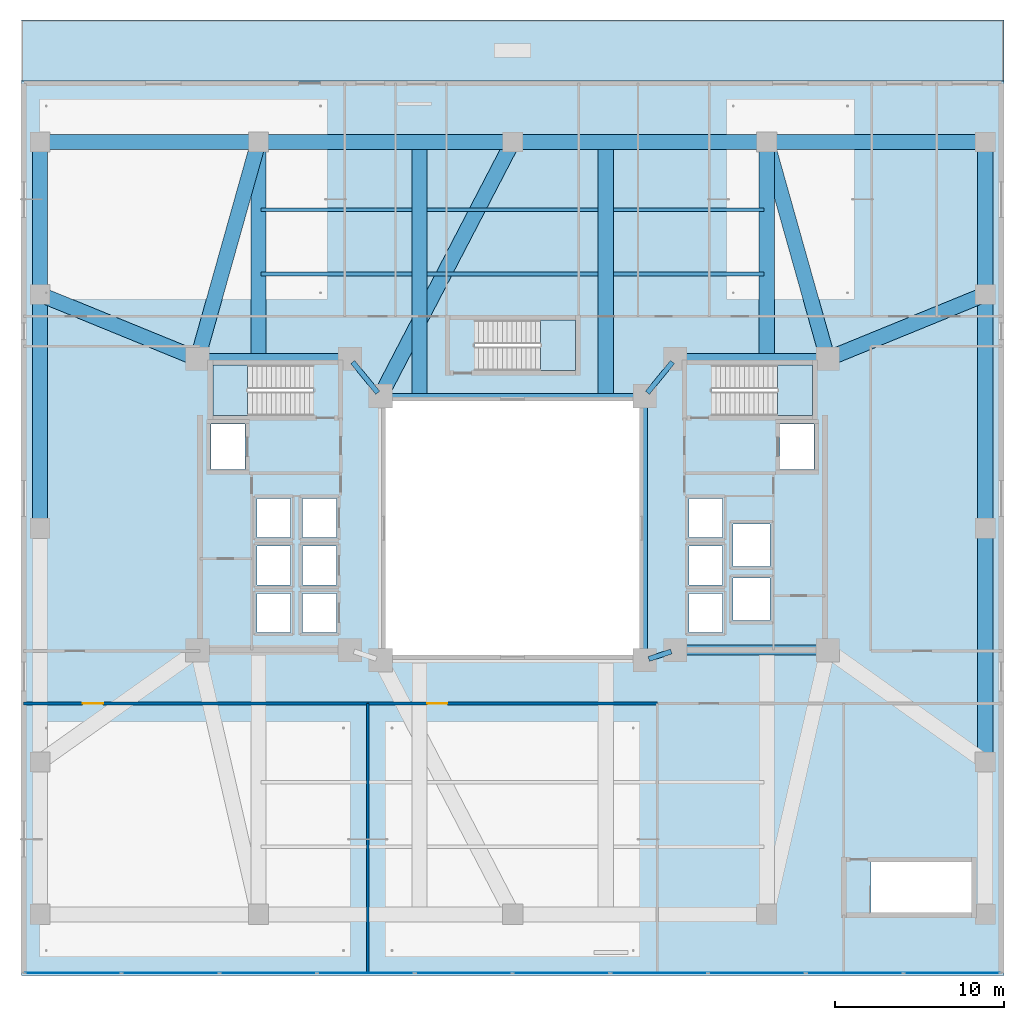
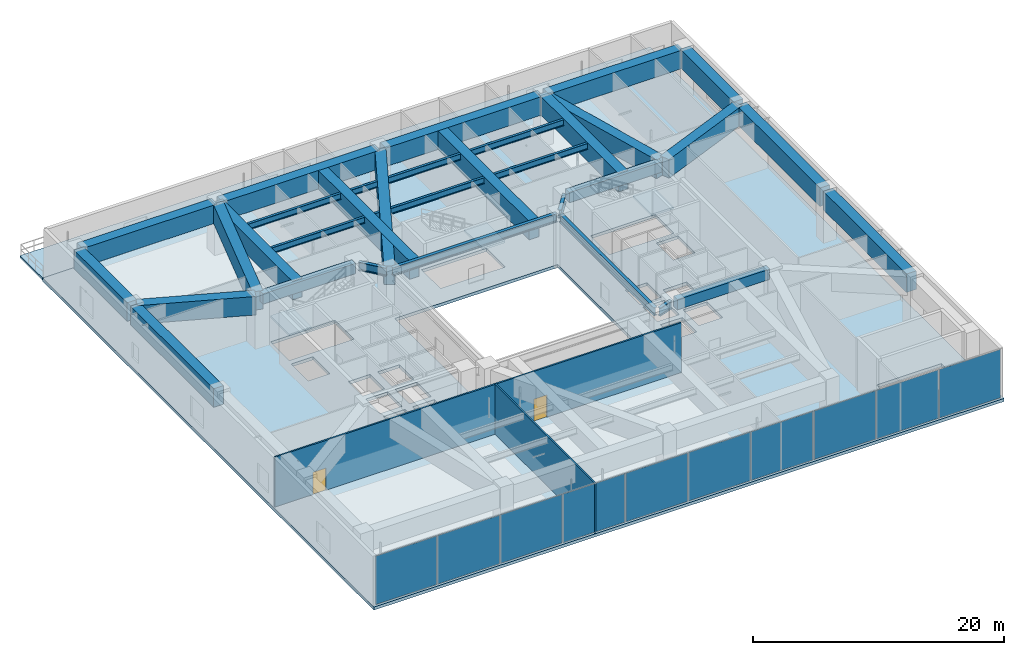
# One storey, part 9 of 21: 32 beams, 10 plates, 5 slabs, 3 walls, 2 doors, 2 openings, 4 elements without a shape of their own.
"""IFC4 building model written with IfcOpenShell, lengths in metres."""

from ifc_helpers import new_model, si_unit, direction, frame, frame_2d, origin, origin_2d, place, context, subcontext, project, spatial, polyline, rectangle, i_section, outline, extrude, material, layer, layer_set, material_profile, profile_set, type_object, element, fill, aggregate, save


model = new_model("IFC4")

# Units and contexts
model_context = context("Model", 3, precision=1e-05, world=origin(), true_north=direction((0.0, 1.0)))
body_context = subcontext(model_context, "Body", "Model", "MODEL_VIEW")
ifc_project = project(units=[si_unit("LENGTHUNIT", "METRE"), si_unit("AREAUNIT", "SQUARE_METRE"), si_unit("VOLUMEUNIT", "CUBIC_METRE"), si_unit("PLANEANGLEUNIT", "RADIAN"), si_unit("MASSUNIT", "GRAM", prefix="KILO")], contexts=[model_context])

# Site, building, storey
site_placement = place(None, origin())
site = spatial("IfcSite", under=ifc_project, at=site_placement, CompositionType="ELEMENT")
building_placement = place(site_placement, origin())
building = spatial("IfcBuilding", under=site, at=building_placement, Name="Tarnavaz Court Tower", CompositionType="ELEMENT")
storey_placement = place(building_placement, frame((0.0, 0.0, 18.89990234375)))
storey = spatial("IfcBuildingStorey", under=building, at=storey_placement, Name="L04", CompositionType="ELEMENT", Elevation=18.89990234375)

# Beams
ifc_material_1 = material(Name="Concrete C60/75", Category="concrete")
ifc_material_profile_1 = material_profile(ifc_material_1, rectangle(XDim=0.60009765625, YDim=1.0, at=origin_2d()), Name="RC 600X1000")
ifc_profile_set_1 = profile_set([ifc_material_profile_1], Name="Concrete C60/75")
beam_type_1 = type_object("IfcBeamType", Name="BM-CB1000", PredefinedType="LINTEL", material=ifc_profile_set_1)
for number, where, z_axis, x_axis, name in (
    (1, (-18.35009765625, 10.0, 4.35009765625), (1.0, 0.0, 0.0), (0.0, 1.0, 0.0), "L04 Beam CW-NO-CW-NI"),
    (2, (18.35009765625, -7.199951171875, 4.35009765625), (-1.0, 0.0, 0.0), (0.0, -1.0, 0.0), "L04 Beam CE-SO-CE-SI"),
    (3, (18.35009765625, 10.0, 4.35009765625), (-1.0, 0.0, 0.0), (0.0, -1.0, 0.0), "L04 Beam CE-NO-CE-NI"),
):
    element("IfcBeam", number, at=place(storey_placement, frame(where, z_axis=z_axis, x_axis=x_axis)), inside=storey, type_object=beam_type_1, Name=name, PredefinedType="LINTEL", context=body_context, shape_type="SweptSolid", body=[
        extrude(rectangle(XDim=0.60009765625, YDim=1.0, at=origin_2d()), origin(), (0.0, 0.0, 1.0), 8.5),
    ])
ifc_material_2 = material(Name="Steel S355", Category="steel")
ifc_material_profile_2 = material_profile(ifc_material_2, i_section(OverallWidth=0.300048828125, OverallDepth=0.800048828125, WebThickness=0.017578125, FlangeThickness=0.032958984375, FilletRadius=0.030029296875, at=origin_2d()), Name="HEB 800")
ifc_profile_set_2 = profile_set([ifc_material_profile_2], Name="Steel S355")
beam_type_2 = type_object("IfcBeamType", Name="BM-G-HEB800", PredefinedType="USERDEFINED", material=ifc_profile_set_2)
for number, where, z_axis, x_axis, name in (
    (4, (-7.550048828125, 7.800048828125, 4.4501953125), (1.0, 0.0, 0.0), (0.0, 1.0, 0.0), "L04 Beam IW-NW-IW-NE"),
    (5, (7.800048828125, -7.550048828125, 4.4501953125), (0.0, 1.0, 0.0), (-1.0, 0.0, 0.0), "L04 Beam IW-SE-IW-NE"),
):
    element("IfcBeam", number, at=place(storey_placement, frame(where, z_axis=z_axis, x_axis=x_axis)), inside=storey, type_object=beam_type_2, Name=name, ObjectType="GIRDER", PredefinedType="USERDEFINED", context=body_context, shape_type="SweptSolid", body=[
        extrude(i_section(OverallWidth=0.300048828125, OverallDepth=0.800048828125, WebThickness=0.017578125, FlangeThickness=0.032958984375, FilletRadius=0.030029296875, at=origin_2d()), origin(), (0.0, 0.0, 1.0), 15.10009765625),
    ])
beam_1_placement = place(storey_placement, frame((9.36279296875, -7.279052734375, 4.4501953125), z_axis=(-0.948683298051, -0.316227766017, 0.0), x_axis=(0.316227766017, -0.948683298051, 0.0)))
element("IfcBeam", 6, at=beam_1_placement, inside=storey, type_object=beam_type_2, Name="L04 Beam CE-SI-IW-SE", ObjectType="GIRDER", PredefinedType="USERDEFINED", context=body_context, shape_type="SweptSolid", body=[
    extrude(i_section(OverallWidth=0.300048828125, OverallDepth=0.800048828125, WebThickness=0.017578125, FlangeThickness=0.032958984375, FilletRadius=0.030029296875, at=origin_2d()), origin(), (0.0, 0.0, 1.0), 1.3974609375),
])
for number, where, z_axis, x_axis, name in (
    (7, (-9.441650390625, 9.806396484375, 4.4501953125), (0.633249141033, -0.773948012066, 0.0), (0.773948012066, 0.633249141033, 0.0), "L04 Beam CW-NI-IW-NW"),
    (8, (9.441650390625, 9.806396484375, 4.4501953125), (-0.633249141033, -0.773948012066, 0.0), (0.773948012066, -0.633249141033, 0.0), "L04 Beam CE-NI-IW-NE"),
):
    element("IfcBeam", number, at=place(storey_placement, frame(where, z_axis=z_axis, x_axis=x_axis)), inside=storey, type_object=beam_type_2, Name=name, ObjectType="GIRDER", PredefinedType="USERDEFINED", context=body_context, shape_type="SweptSolid", body=[
        extrude(i_section(OverallWidth=0.300048828125, OverallDepth=0.800048828125, WebThickness=0.017578125, FlangeThickness=0.032958984375, FilletRadius=0.030029296875, at=origin_2d()), origin(), (0.0, 0.0, 1.0), 2.342529296875),
    ])
ifc_material_profile_3 = material_profile(ifc_material_2, i_section(OverallWidth=0.219970703125, OverallDepth=0.60009765625, WebThickness=0.011962890625, FlangeThickness=0.01904296875, FilletRadius=0.02392578125, at=origin_2d()), Name="IPE 600")
ifc_profile_set_3 = profile_set([ifc_material_profile_3], Name="Steel S355")
beam_type_3 = type_object("IfcBeamType", Name="BM-J-IPE600", PredefinedType="JOIST", material=ifc_profile_set_3)
beam_2_placement = place(storey_placement, frame((-14.85009765625, 15.0, 4.550048828125), z_axis=(1.0, 0.0, 0.0), x_axis=(0.0, 1.0, 0.0)))
element("IfcBeam", 9, at=beam_2_placement, inside=storey, type_object=beam_type_3, Name="L04 Beam PJN-1-1", PredefinedType="JOIST", context=body_context, shape_type="SweptSolid", body=[
    extrude(i_section(OverallWidth=0.219970703125, OverallDepth=0.60009765625, WebThickness=0.011962890625, FlangeThickness=0.01904296875, FilletRadius=0.02392578125, at=origin_2d()), origin(), (0.0, 0.0, 1.0), 8.900146484375),
])
beam_3_placement = place(storey_placement, frame((-5.050048828125, 15.0, 4.550048828125), z_axis=(1.0, 0.0, 0.0), x_axis=(0.0, 1.0, 0.0)))
element("IfcBeam", 10, at=beam_3_placement, inside=storey, type_object=beam_type_3, Name="L04 Beam PJN-1-2", PredefinedType="JOIST", context=body_context, shape_type="SweptSolid", body=[
    extrude(i_section(OverallWidth=0.219970703125, OverallDepth=0.60009765625, WebThickness=0.011962890625, FlangeThickness=0.01904296875, FilletRadius=0.02392578125, at=origin_2d()), origin(), (0.0, 0.0, 1.0), 10.10009765625),
])
for number, where, z_axis, x_axis, name in (
    (11, (5.949951171875, 15.0, 4.550048828125), (1.0, 0.0, 0.0), (0.0, 1.0, 0.0), "L04 Beam PJN-1-3"),
    (12, (-14.85009765625, 18.800048828125, 4.550048828125), (1.0, 0.0, 0.0), (0.0, 1.0, 0.0), "L04 Beam PJN-2-1"),
):
    element("IfcBeam", number, at=place(storey_placement, frame(where, z_axis=z_axis, x_axis=x_axis)), inside=storey, type_object=beam_type_3, Name=name, PredefinedType="JOIST", context=body_context, shape_type="SweptSolid", body=[
        extrude(i_section(OverallWidth=0.219970703125, OverallDepth=0.60009765625, WebThickness=0.011962890625, FlangeThickness=0.01904296875, FilletRadius=0.02392578125, at=origin_2d()), origin(), (0.0, 0.0, 1.0), 8.900146484375),
    ])
beam_4_placement = place(storey_placement, frame((-5.050048828125, 18.800048828125, 4.550048828125), z_axis=(1.0, 0.0, 0.0), x_axis=(0.0, 1.0, 0.0)))
element("IfcBeam", 13, at=beam_4_placement, inside=storey, type_object=beam_type_3, Name="L04 Beam PJN-2-2", PredefinedType="JOIST", context=body_context, shape_type="SweptSolid", body=[
    extrude(i_section(OverallWidth=0.219970703125, OverallDepth=0.60009765625, WebThickness=0.011962890625, FlangeThickness=0.01904296875, FilletRadius=0.02392578125, at=origin_2d()), origin(), (0.0, 0.0, 1.0), 10.10009765625),
])
beam_5_placement = place(storey_placement, frame((5.949951171875, 18.800048828125, 4.550048828125), z_axis=(1.0, 0.0, 0.0), x_axis=(0.0, 1.0, 0.0)))
element("IfcBeam", 14, at=beam_5_placement, inside=storey, type_object=beam_type_3, Name="L04 Beam PJN-2-3", PredefinedType="JOIST", context=body_context, shape_type="SweptSolid", body=[
    extrude(i_section(OverallWidth=0.219970703125, OverallDepth=0.60009765625, WebThickness=0.011962890625, FlangeThickness=0.01904296875, FilletRadius=0.02392578125, at=origin_2d()), origin(), (0.0, 0.0, 1.0), 8.900146484375),
])
ifc_material_3 = material(Name="Concrete C50/60", Category="concrete")
ifc_material_profile_4 = material_profile(ifc_material_3, rectangle(XDim=0.89990234375, YDim=1.800048828125, at=origin_2d()), Name="RC 900X1800")
ifc_profile_set_4 = profile_set([ifc_material_profile_4], Name="Concrete C50/60")
beam_type_4 = type_object("IfcBeamType", Name="BM-TG1800", PredefinedType="USERDEFINED", material=ifc_profile_set_4)
beam_6_placement = place(storey_placement, frame((-27.64990234375, 22.800048828125, 3.9501953125), z_axis=(1.0, 0.0, 0.0), x_axis=(0.0, 1.0, 0.0)))
element("IfcBeam", 15, at=beam_6_placement, inside=storey, type_object=beam_type_4, Name="L04 Beam PM-PM-NW-PM-N1", ObjectType="GIRDER", PredefinedType="USERDEFINED", context=body_context, shape_type="SweptSolid", body=[
    extrude(rectangle(XDim=0.89990234375, YDim=1.800048828125, at=origin_2d()), origin(), (0.0, 0.0, 1.0), 12.39990234375),
])
for number, where, z_axis, x_axis, name in (
    (16, (-14.75, 22.800048828125, 3.9501953125), (1.0, 0.0, 0.0), (0.0, 1.0, 0.0), "L04 Beam PM-PM-N1-PM-N2"),
    (17, (0.25, 22.800048828125, 3.9501953125), (1.0, 0.0, 0.0), (0.0, 1.0, 0.0), "L04 Beam PM-PM-N2-PM-N3"),
):
    element("IfcBeam", number, at=place(storey_placement, frame(where, z_axis=z_axis, x_axis=x_axis)), inside=storey, type_object=beam_type_4, Name=name, ObjectType="GIRDER", PredefinedType="USERDEFINED", context=body_context, shape_type="SweptSolid", body=[
        extrude(rectangle(XDim=0.89990234375, YDim=1.800048828125, at=origin_2d()), origin(), (0.0, 0.0, 1.0), 14.5),
    ])
beam_7_placement = place(storey_placement, frame((15.25, 22.800048828125, 3.9501953125), z_axis=(1.0, 0.0, 0.0), x_axis=(0.0, 1.0, 0.0)))
element("IfcBeam", 18, at=beam_7_placement, inside=storey, type_object=beam_type_4, Name="L04 Beam PM-PM-N3-PM-NE", ObjectType="GIRDER", PredefinedType="USERDEFINED", context=body_context, shape_type="SweptSolid", body=[
    extrude(rectangle(XDim=0.89990234375, YDim=1.800048828125, at=origin_2d()), origin(), (0.0, 0.0, 1.0), 12.39990234375),
])
beam_8_placement = place(storey_placement, frame((-27.89990234375, 0.25, 3.9501953125), z_axis=(0.0, 1.0, 0.0), x_axis=(-1.0, 0.0, 0.0)))
element("IfcBeam", 19, at=beam_8_placement, inside=storey, type_object=beam_type_4, Name="L04 Beam PM-PM-W2-PM-W3", ObjectType="GIRDER", PredefinedType="USERDEFINED", context=body_context, shape_type="SweptSolid", body=[
    extrude(rectangle(XDim=0.89990234375, YDim=1.800048828125, at=origin_2d()), origin(), (0.0, 0.0, 1.0), 13.300048828125),
])
beam_9_placement = place(storey_placement, frame((-27.89990234375, 14.050048828125, 3.9501953125), z_axis=(0.0, 1.0, 0.0), x_axis=(-1.0, 0.0, 0.0)))
element("IfcBeam", 20, at=beam_9_placement, inside=storey, type_object=beam_type_4, Name="L04 Beam PM-PM-W3-PM-NW", ObjectType="GIRDER", PredefinedType="USERDEFINED", context=body_context, shape_type="SweptSolid", body=[
    extrude(rectangle(XDim=0.89990234375, YDim=1.800048828125, at=origin_2d()), origin(), (0.0, 0.0, 1.0), 8.5),
])
for number, where, z_axis, x_axis, name in (
    (21, (27.89990234375, -13.550048828125, 3.9501953125), (0.0, 1.0, 0.0), (-1.0, 0.0, 0.0), "L04 Beam PM-PM-E1-PM-E2"),
    (22, (27.89990234375, 0.25, 3.9501953125), (0.0, 1.0, 0.0), (-1.0, 0.0, 0.0), "L04 Beam PM-PM-E2-PM-E3"),
):
    element("IfcBeam", number, at=place(storey_placement, frame(where, z_axis=z_axis, x_axis=x_axis)), inside=storey, type_object=beam_type_4, Name=name, ObjectType="GIRDER", PredefinedType="USERDEFINED", context=body_context, shape_type="SweptSolid", body=[
        extrude(rectangle(XDim=0.89990234375, YDim=1.800048828125, at=origin_2d()), origin(), (0.0, 0.0, 1.0), 13.300048828125),
    ])
beam_10_placement = place(storey_placement, frame((27.89990234375, 14.050048828125, 3.9501953125), z_axis=(0.0, 1.0, 0.0), x_axis=(-1.0, 0.0, 0.0)))
element("IfcBeam", 23, at=beam_10_placement, inside=storey, type_object=beam_type_4, Name="L04 Beam PM-PM-E3-PM-NE", ObjectType="GIRDER", PredefinedType="USERDEFINED", context=body_context, shape_type="SweptSolid", body=[
    extrude(rectangle(XDim=0.89990234375, YDim=1.800048828125, at=origin_2d()), origin(), (0.0, 0.0, 1.0), 8.5),
])
beam_11_placement = place(storey_placement, frame((-18.5322265625, 10.24072265625, 3.9501953125), z_axis=(0.270745024415, 0.962651095545, 0.0), x_axis=(-0.962651095545, 0.270745024415, 0.0)))
element("IfcBeam", 24, at=beam_11_placement, inside=storey, type_object=beam_type_4, Name="L04 Beam PM-CW-NO-PM-N1", ObjectType="GIRDER", PredefinedType="USERDEFINED", context=body_context, shape_type="SweptSolid", body=[
    extrude(rectangle(XDim=0.89990234375, YDim=1.800048828125, at=origin_2d()), origin(), (0.0, 0.0, 1.0), 12.796630859375),
])
beam_12_placement = place(storey_placement, frame((-7.684814453125, 8.021728515625, 3.9501953125), z_axis=(0.461364918236, 0.887210466699, 0.0), x_axis=(-0.887210466699, 0.461364918236, 0.0)))
element("IfcBeam", 25, at=beam_12_placement, inside=storey, type_object=beam_type_4, Name="L04 Beam PM-IW-NW-PM-N2", ObjectType="GIRDER", PredefinedType="USERDEFINED", context=body_context, shape_type="SweptSolid", body=[
    extrude(rectangle(XDim=0.89990234375, YDim=1.800048828125, at=origin_2d()), origin(), (0.0, 0.0, 1.0), 16.406982421875),
])
beam_13_placement = place(storey_placement, frame((18.5322265625, 10.24072265625, 3.9501953125), z_axis=(-0.270745024415, 0.962651095545, 0.0), x_axis=(-0.962651095545, -0.270745024415, 0.0)))
element("IfcBeam", 26, at=beam_13_placement, inside=storey, type_object=beam_type_4, Name="L04 Beam PM-CE-NO-PM-N3", ObjectType="GIRDER", PredefinedType="USERDEFINED", context=body_context, shape_type="SweptSolid", body=[
    extrude(rectangle(XDim=0.89990234375, YDim=1.800048828125, at=origin_2d()), origin(), (0.0, 0.0, 1.0), 12.796630859375),
])
for number, where, z_axis, x_axis, name in (
    (27, (-18.831298828125, 10.094482421875, 3.9501953125), (-0.925710630755, 0.378232505356, 0.0), (-0.378232505356, -0.925710630755, 0.0), "L04 Beam PM-CW-NO-PM-W3"),
    (28, (18.831298828125, 10.094482421875, 3.9501953125), (0.925710630755, 0.378232505356, 0.0), (-0.378232505356, 0.925710630755, 0.0), "L04 Beam PM-CE-NO-PM-E3"),
):
    element("IfcBeam", number, at=place(storey_placement, frame(where, z_axis=z_axis, x_axis=x_axis)), inside=storey, type_object=beam_type_4, Name=name, ObjectType="GIRDER", PredefinedType="USERDEFINED", context=body_context, shape_type="SweptSolid", body=[
        extrude(rectangle(XDim=0.89990234375, YDim=1.800048828125, at=origin_2d()), origin(), (0.0, 0.0, 1.0), 9.546630859375),
    ])
beam_14_placement = place(storey_placement, frame((-15.0, 10.0400390625, 3.9501953125), z_axis=(0.0, 1.0, 0.0), x_axis=(-1.0, 0.0, 0.0)))
element("IfcBeam", 29, at=beam_14_placement, inside=storey, type_object=beam_type_4, Name="L04 Beam PM-NS-NW", ObjectType="GIRDER", PredefinedType="USERDEFINED", context=body_context, shape_type="SweptSolid", body=[
    extrude(rectangle(XDim=0.89990234375, YDim=1.800048828125, at=origin_2d()), origin(), (0.0, 0.0, 1.0), 12.719970703125),
])
for number, where, z_axis, x_axis, name in (
    (30, (-5.5, 7.840087890625, 3.9501953125), (0.0, 1.0, 0.0), (-1.0, 0.0, 0.0), "L04 Beam PM-NS-NCW"),
    (31, (5.5, 7.840087890625, 3.9501953125), (0.0, 1.0, 0.0), (-1.0, 0.0, 0.0), "L04 Beam PM-NS-NCE"),
):
    element("IfcBeam", number, at=place(storey_placement, frame(where, z_axis=z_axis, x_axis=x_axis)), inside=storey, type_object=beam_type_4, Name=name, ObjectType="GIRDER", PredefinedType="USERDEFINED", context=body_context, shape_type="SweptSolid", body=[
        extrude(rectangle(XDim=0.89990234375, YDim=1.800048828125, at=origin_2d()), origin(), (0.0, 0.0, 1.0), 14.919921875),
    ])
beam_15_placement = place(storey_placement, frame((15.0, 10.0400390625, 3.9501953125), z_axis=(0.0, 1.0, 0.0), x_axis=(-1.0, 0.0, 0.0)))
element("IfcBeam", 32, at=beam_15_placement, inside=storey, type_object=beam_type_4, Name="L04 Beam PM-NS-NE", ObjectType="GIRDER", PredefinedType="USERDEFINED", context=body_context, shape_type="SweptSolid", body=[
    extrude(rectangle(XDim=0.89990234375, YDim=1.800048828125, at=origin_2d()), origin(), (0.0, 0.0, 1.0), 12.719970703125),
])

# Curtain wall, plates
ifc_material_4 = material(Name="Anodised Aluminium 6063-T6 and Solar Low-E Glazing", Category="aluminium")
ifc_layer_1 = layer(ifc_material_4, 0.18994140625)
ifc_layer_set_1 = layer_set([ifc_layer_1], Name="Anodised Aluminium 6063-T6 and Solar Low-E Glazing")
curtain_wall_type = type_object("IfcCurtainWallType", Name="CW-SYS-01", PredefinedType="NOTDEFINED", material=ifc_layer_set_1)
curtain_wall_placement = place(storey_placement, origin())
curtain_wall = element("IfcCurtainWall", 33, at=curtain_wall_placement, inside=storey, type_object=curtain_wall_type, Name="L04 Clinic South Curtain Wall 3", PredefinedType="NOTDEFINED")
ifc_material_5 = material(Name="Double-Glazed Solar Low-E Glass", Category="glass")
ifc_layer_2 = layer(ifc_material_5, 0.028076171875)
ifc_layer_set_2 = layer_set([ifc_layer_2], Name="Double-Glazed Solar Low-E Glass")
plate_type = type_object("IfcPlateType", Name="CW-PAN-GLZ28", PredefinedType="CURTAIN_PANEL", material=ifc_layer_set_2)
plate_1_placement = place(storey_placement, frame((25.94384765625, -26.25, 0.06494140625), z_axis=(0.0, 0.0, 1.0), x_axis=(-1.0, 0.0, 0.0)))
plate_1 = element("IfcPlate", 34, at=plate_1_placement, type_object=plate_type, Name="CW panel 1.1", PredefinedType="CURTAIN_PANEL", context=body_context, shape_type="SweptSolid", body=[
    extrude(rectangle(XDim=5.642578125, YDim=0.028076171875, at=origin_2d()), origin(), (0.0, 0.0, 1.0), 4.719970703125),
])
plate_2_placement = place(storey_placement, frame((20.195068359375, -26.25, 0.06494140625), z_axis=(0.0, 0.0, 1.0), x_axis=(-1.0, 0.0, 0.0)))
plate_2 = element("IfcPlate", 35, at=plate_2_placement, type_object=plate_type, Name="CW panel 2.1", PredefinedType="CURTAIN_PANEL", context=body_context, shape_type="SweptSolid", body=[
    extrude(rectangle(XDim=5.68505859375, YDim=0.028076171875, at=origin_2d()), origin(), (0.0, 0.0, 1.0), 4.719970703125),
])
plate_3_placement = place(storey_placement, frame((14.425048828125, -26.25, 0.06494140625), z_axis=(0.0, 0.0, 1.0), x_axis=(-1.0, 0.0, 0.0)))
plate_3 = element("IfcPlate", 36, at=plate_3_placement, type_object=plate_type, Name="CW panel 3.1", PredefinedType="CURTAIN_PANEL", context=body_context, shape_type="SweptSolid", body=[
    extrude(rectangle(XDim=5.68505859375, YDim=0.028076171875, at=origin_2d()), origin(), (0.0, 0.0, 1.0), 4.719970703125),
])
plate_4_placement = place(storey_placement, frame((8.655029296875, -26.25, 0.06494140625), z_axis=(0.0, 0.0, 1.0), x_axis=(-1.0, 0.0, 0.0)))
plate_4 = element("IfcPlate", 37, at=plate_4_placement, type_object=plate_type, Name="CW panel 4.1", PredefinedType="CURTAIN_PANEL", context=body_context, shape_type="SweptSolid", body=[
    extrude(rectangle(XDim=5.68505859375, YDim=0.028076171875, at=origin_2d()), origin(), (0.0, 0.0, 1.0), 4.719970703125),
])
plate_5_placement = place(storey_placement, frame((2.885009765625, -26.25, 0.06494140625), z_axis=(0.0, 0.0, 1.0), x_axis=(-1.0, 0.0, 0.0)))
plate_5 = element("IfcPlate", 38, at=plate_5_placement, type_object=plate_type, Name="CW panel 5.1", PredefinedType="CURTAIN_PANEL", context=body_context, shape_type="SweptSolid", body=[
    extrude(rectangle(XDim=5.68505859375, YDim=0.028076171875, at=origin_2d()), origin(), (0.0, 0.0, 1.0), 4.719970703125),
])
plate_6_placement = place(storey_placement, frame((-2.885009765625, -26.25, 0.06494140625), z_axis=(0.0, 0.0, 1.0), x_axis=(-1.0, 0.0, 0.0)))
plate_6 = element("IfcPlate", 39, at=plate_6_placement, type_object=plate_type, Name="CW panel 6.1", PredefinedType="CURTAIN_PANEL", context=body_context, shape_type="SweptSolid", body=[
    extrude(rectangle(XDim=5.68505859375, YDim=0.028076171875, at=origin_2d()), origin(), (0.0, 0.0, 1.0), 4.719970703125),
])
plate_7_placement = place(storey_placement, frame((-8.655029296875, -26.25, 0.06494140625), z_axis=(0.0, 0.0, 1.0), x_axis=(-1.0, 0.0, 0.0)))
plate_7 = element("IfcPlate", 40, at=plate_7_placement, type_object=plate_type, Name="CW panel 7.1", PredefinedType="CURTAIN_PANEL", context=body_context, shape_type="SweptSolid", body=[
    extrude(rectangle(XDim=5.68505859375, YDim=0.028076171875, at=origin_2d()), origin(), (0.0, 0.0, 1.0), 4.719970703125),
])
plate_8_placement = place(storey_placement, frame((-14.425048828125, -26.25, 0.06494140625), z_axis=(0.0, 0.0, 1.0), x_axis=(-1.0, 0.0, 0.0)))
plate_8 = element("IfcPlate", 41, at=plate_8_placement, type_object=plate_type, Name="CW panel 8.1", PredefinedType="CURTAIN_PANEL", context=body_context, shape_type="SweptSolid", body=[
    extrude(rectangle(XDim=5.68505859375, YDim=0.028076171875, at=origin_2d()), origin(), (0.0, 0.0, 1.0), 4.719970703125),
])
plate_9_placement = place(storey_placement, frame((-20.195068359375, -26.25, 0.06494140625), z_axis=(0.0, 0.0, 1.0), x_axis=(-1.0, 0.0, 0.0)))
plate_9 = element("IfcPlate", 42, at=plate_9_placement, type_object=plate_type, Name="CW panel 9.1", PredefinedType="CURTAIN_PANEL", context=body_context, shape_type="SweptSolid", body=[
    extrude(rectangle(XDim=5.68505859375, YDim=0.028076171875, at=origin_2d()), origin(), (0.0, 0.0, 1.0), 4.719970703125),
])
plate_10_placement = place(storey_placement, frame((-25.94384765625, -26.25, 0.06494140625), z_axis=(0.0, 0.0, 1.0), x_axis=(-1.0, 0.0, 0.0)))
plate_10 = element("IfcPlate", 43, at=plate_10_placement, type_object=plate_type, Name="CW panel 10.1", PredefinedType="CURTAIN_PANEL", context=body_context, shape_type="SweptSolid", body=[
    extrude(rectangle(XDim=5.642578125, YDim=0.028076171875, at=origin_2d()), origin(), (0.0, 0.0, 1.0), 4.719970703125),
])
aggregate(curtain_wall, [plate_1, plate_2, plate_3, plate_4, plate_5, plate_6, plate_7, plate_8, plate_9, plate_10])

# Stair, slab
ifc_material_6 = material(Name="Concrete C40/50", Category="concrete")
stair_type = type_object("IfcStairType", Name="ST-TWR-30R", PredefinedType="HALF_TURN_STAIR", material=ifc_material_6)
stair_1_placement = place(storey_placement, origin())
stair_1 = element("IfcStair", 44, at=stair_1_placement, inside=storey, type_object=stair_type, Name="L04 West Core Pressurized Exit Stair ST-W1", PredefinedType="HALF_TURN_STAIR")
ifc_layer_3 = layer(ifc_material_6, 0.199951171875)
ifc_layer_set_3 = layer_set([ifc_layer_3], Name="Concrete C40/50")
slab_type_1 = type_object("IfcSlabType", Name="SL-LAND-200", PredefinedType="LANDING", material=ifc_layer_set_3)
slab_1_placement = place(storey_placement, frame((0.0, 0.0, 2.35009765625)))
slab_1 = element("IfcSlab", 45, at=slab_1_placement, type_object=slab_type_1, Name="ST-W1 landing 1", PredefinedType="LANDING", context=body_context, shape_type="SweptSolid", body=[
    extrude(outline(polyline([(-15.639892578125, 9.639892578125), (-17.699951171875, 9.639892578125), (-17.699951171875, 6.64990234375), (-15.639892578125, 6.64990234375), (-15.639892578125, 9.639892578125)])), origin(), (0.0, 0.0, 1.0), 0.199951171875),
])
aggregate(stair_1, [slab_1])

stair_2_placement = place(storey_placement, origin())
stair_2 = element("IfcStair", 46, at=stair_2_placement, inside=storey, type_object=stair_type, Name="L04 East Core Pressurized Exit Stair ST-E1", PredefinedType="HALF_TURN_STAIR")
slab_2_placement = place(storey_placement, frame((0.0, 0.0, 2.35009765625)))
slab_2 = element("IfcSlab", 47, at=slab_2_placement, type_object=slab_type_1, Name="ST-E1 landing 1", PredefinedType="LANDING", context=body_context, shape_type="SweptSolid", body=[
    extrude(outline(polyline([(15.639892578125, 6.64990234375), (17.699951171875, 6.64990234375), (17.699951171875, 9.639892578125), (15.639892578125, 9.639892578125), (15.639892578125, 6.64990234375)])), origin(), (0.0, 0.0, 1.0), 0.199951171875),
])
aggregate(stair_2, [slab_2])

stair_3_placement = place(storey_placement, origin())
stair_3 = element("IfcStair", 48, at=stair_3_placement, inside=storey, type_object=stair_type, Name="L04 North Ring Pressurized Exit Stair ST-N1", PredefinedType="HALF_TURN_STAIR")
slab_3_placement = place(storey_placement, frame((0.0, 0.0, 2.35009765625)))
slab_3 = element("IfcSlab", 49, at=slab_3_placement, type_object=slab_type_1, Name="ST-N1 landing 1", PredefinedType="LANDING", context=body_context, shape_type="SweptSolid", body=[
    extrude(outline(polyline([(1.639892578125, 9.300048828125), (3.699951171875, 9.300048828125), (3.699951171875, 12.2900390625), (1.639892578125, 12.2900390625), (1.639892578125, 9.300048828125)])), origin(), (0.0, 0.0, 1.0), 0.199951171875),
])
aggregate(stair_3, [slab_3])

# Slabs
ifc_layer_4 = layer(ifc_material_6, 0.300048828125)
ifc_layer_set_4 = layer_set([ifc_layer_4], Name="Concrete C40/50")
slab_type_2 = type_object("IfcSlabType", Name="SL-POD-300", PredefinedType="FLOOR", material=ifc_layer_set_4)
slab_4_placement = place(storey_placement, frame((0.0, 0.0, -0.2998046875)))
element("IfcSlab", 50, at=slab_4_placement, inside=storey, type_object=slab_type_2, Name="L04 Structural Floor Slab", PredefinedType="FLOOR", context=body_context, shape_type="SweptSolid", body=[
    extrude(outline(polyline([(-29.0, -26.39990234375), (29.0, -26.39990234375), (29.0, 26.39990234375), (-29.0, 26.39990234375), (-29.0, -26.39990234375)]), holes=[polyline([(-7.5, -7.5), (7.5, -7.5), (7.5, 7.5), (-7.5, 7.5), (-7.5, -7.5)]), polyline([(-11.7451171875, 9.639892578125), (-17.699951171875, 9.639892578125), (-17.699951171875, 6.64990234375), (-11.7451171875, 6.64990234375), (-11.7451171875, 9.639892578125)]), polyline([(11.7451171875, 6.64990234375), (17.699951171875, 6.64990234375), (17.699951171875, 9.639892578125), (11.7451171875, 9.639892578125), (11.7451171875, 6.64990234375)]), polyline([(-2.2548828125, 9.300048828125), (3.699951171875, 9.300048828125), (3.699951171875, 12.2900390625), (-2.2548828125, 12.2900390625), (-2.2548828125, 9.300048828125)]), polyline([(21.14501953125, -22.699951171875), (27.10009765625, -22.699951171875), (27.10009765625, -19.7099609375), (21.14501953125, -19.7099609375), (21.14501953125, -22.699951171875)]), polyline([(-17.800048828125, 3.449951171875), (-15.800048828125, 3.449951171875), (-15.800048828125, 6.14990234375), (-17.800048828125, 6.14990234375), (-17.800048828125, 3.449951171875)]), polyline([(-12.39990234375, -6.14990234375), (-10.39990234375, -6.14990234375), (-10.39990234375, -3.85009765625), (-12.39990234375, -3.85009765625), (-12.39990234375, -6.14990234375)]), polyline([(-12.39990234375, -3.35009765625), (-10.39990234375, -3.35009765625), (-10.39990234375, -1.050048828125), (-12.39990234375, -1.050048828125), (-12.39990234375, -3.35009765625)]), polyline([(-12.39990234375, -0.550048828125), (-10.39990234375, -0.550048828125), (-10.39990234375, 1.75), (-12.39990234375, 1.75), (-12.39990234375, -0.550048828125)]), polyline([(-15.10009765625, -6.14990234375), (-13.10009765625, -6.14990234375), (-13.10009765625, -3.85009765625), (-15.10009765625, -3.85009765625), (-15.10009765625, -6.14990234375)]), polyline([(-15.10009765625, -3.35009765625), (-13.10009765625, -3.35009765625), (-13.10009765625, -1.050048828125), (-15.10009765625, -1.050048828125), (-15.10009765625, -3.35009765625)]), polyline([(-15.10009765625, -0.550048828125), (-13.10009765625, -0.550048828125), (-13.10009765625, 1.75), (-15.10009765625, 1.75), (-15.10009765625, -0.550048828125)]), polyline([(15.800048828125, 3.449951171875), (17.800048828125, 3.449951171875), (17.800048828125, 6.14990234375), (15.800048828125, 6.14990234375), (15.800048828125, 3.449951171875)]), polyline([(10.39990234375, -6.14990234375), (12.39990234375, -6.14990234375), (12.39990234375, -3.85009765625), (10.39990234375, -3.85009765625), (10.39990234375, -6.14990234375)]), polyline([(10.39990234375, -3.35009765625), (12.39990234375, -3.35009765625), (12.39990234375, -1.050048828125), (10.39990234375, -1.050048828125), (10.39990234375, -3.35009765625)]), polyline([(10.39990234375, -0.550048828125), (12.39990234375, -0.550048828125), (12.39990234375, 1.75), (10.39990234375, 1.75), (10.39990234375, -0.550048828125)]), polyline([(13.0, -5.449951171875), (15.199951171875, -5.449951171875), (15.199951171875, -2.949951171875), (13.0, -2.949951171875), (13.0, -5.449951171875)]), polyline([(13.0, -2.25), (15.199951171875, -2.25), (15.199951171875, 0.25), (13.0, 0.25), (13.0, -2.25)])]), origin(), (0.0, 0.0, 1.0), 0.2998046875),
])
ifc_layer_5 = layer(ifc_material_6, 0.219970703125)
ifc_layer_set_5 = layer_set([ifc_layer_5], Name="Concrete C40/50")
slab_type_3 = type_object("IfcSlabType", Name="SL-TERR-220", PredefinedType="FLOOR", material=ifc_layer_set_5)
slab_5_placement = place(storey_placement, frame((0.0, 0.0, -0.219970703125)))
element("IfcSlab", 51, at=slab_5_placement, inside=storey, type_object=slab_type_3, Name="L04 North Chahar-Bagh Resident Terrace", PredefinedType="FLOOR", context=body_context, shape_type="SweptSolid", body=[
    extrude(outline(polyline([(-29.0, 26.39990234375), (29.0, 26.39990234375), (29.0, 30.0), (-29.0, 30.0), (-29.0, 26.39990234375)])), origin(), (0.0, 0.0, 1.0), 0.219970703125),
])

# Wall, opening, door
ifc_material_7 = material(Name="Gypsum Fire-Board on Acoustic Metal Stud", Category="masonry")
ifc_layer_6 = layer(ifc_material_7, 0.14990234375)
ifc_layer_set_6 = layer_set([ifc_layer_6], Name="Gypsum Fire-Board on Acoustic Metal Stud")
wall_type_1 = type_object("IfcWallType", Name="WL-FIRE-150", PredefinedType="PARTITIONING", material=ifc_layer_set_6)
wall_1_placement = place(storey_placement, frame((-28.8798828125, -10.35009765625, 0.0), z_axis=(0.0, 0.0, 1.0), x_axis=(1.0, 0.0, 0.0)))
wall_1 = element("IfcWall", 52, at=wall_1_placement, inside=storey, type_object=wall_type_1, Name="L04 SW Corridor Wall 088", PredefinedType="PARTITIONING", context=body_context, shape_type="SweptSolid", body=[
    extrude(rectangle(XDim=20.329833984375, YDim=0.14990234375, at=frame_2d((10.1650390625, 0.0))), origin(), (0.0, 0.0, 1.0), 4.85009765625),
])
opening_1_placement = place(wall_1_placement, frame((3.5, 0.0, 0.0)))
opening_1 = element("IfcOpeningElement", 53, at=opening_1_placement, cuts=wall_1, Name="Opening D11", PredefinedType="OPENING", context=body_context, shape_type="SweptSolid", body=[
    extrude(rectangle(XDim=1.199951171875, YDim=2.14990234375, at=frame_2d((0.60009765625, 1.074951171875))), frame((0.0, 0.0849609375, 0.0), z_axis=(0.0, -1.0, 0.0), x_axis=(1.0, 0.0, 0.0)), (0.0, 0.0, 1.0), 0.169921875),
])
ifc_material_8 = material(Name="Engineered Oak Timber", Category="wood")
door_type = type_object("IfcDoorType", Name="DR-INT-1200", OperationType="NOTDEFINED", PredefinedType="DOOR", material=ifc_material_8)
door_1_placement = place(opening_1_placement, origin())
door_1 = element("IfcDoor", 54, at=door_1_placement, inside=storey, type_object=door_type, Name="L04 West Terrace Lounge Door", OperationType="SINGLE_SWING_RIGHT", OverallHeight=2.14990234375, OverallWidth=1.199951171875, PredefinedType="DOOR", context=body_context, shape_type="SweptSolid", body=[
    extrude(rectangle(XDim=1.199951171875, YDim=2.14990234375, at=frame_2d((0.60009765625, 1.074951171875))), frame((0.0, 0.02490234375, 0.0), z_axis=(0.0, -1.0, 0.0), x_axis=(1.0, 0.0, 0.0)), (0.0, 0.0, 1.0), 0.050048828125),
])
fill(opening_1, door_1)

wall_2_placement = place(storey_placement, frame((-8.550048828125, -10.35009765625, 0.0), z_axis=(0.0, 0.0, 1.0), x_axis=(1.0, 0.0, 0.0)))
wall_2 = element("IfcWall", 55, at=wall_2_placement, inside=storey, type_object=wall_type_1, Name="L04 South Ring Corridor Wall 089", PredefinedType="PARTITIONING", context=body_context, shape_type="SweptSolid", body=[
    extrude(rectangle(XDim=17.10009765625, YDim=0.14990234375, at=frame_2d((8.550048828125, 0.0))), origin(), (0.0, 0.0, 1.0), 4.85009765625),
])
opening_2_placement = place(wall_2_placement, frame((3.5, 0.0, 0.0)))
opening_2 = element("IfcOpeningElement", 56, at=opening_2_placement, cuts=wall_2, Name="Opening D11", PredefinedType="OPENING", context=body_context, shape_type="SweptSolid", body=[
    extrude(rectangle(XDim=1.199951171875, YDim=2.14990234375, at=frame_2d((0.60009765625, 1.074951171875))), frame((0.0, 0.0849609375, 0.0), z_axis=(0.0, -1.0, 0.0), x_axis=(1.0, 0.0, 0.0)), (0.0, 0.0, 1.0), 0.169921875),
])
door_2_placement = place(opening_2_placement, origin())
door_2 = element("IfcDoor", 57, at=door_2_placement, inside=storey, type_object=door_type, Name="L04 North Garden Terrace Lounge Door", OperationType="SINGLE_SWING_LEFT", OverallHeight=2.14990234375, OverallWidth=1.199951171875, PredefinedType="DOOR", context=body_context, shape_type="SweptSolid", body=[
    extrude(rectangle(XDim=1.199951171875, YDim=2.14990234375, at=frame_2d((0.60009765625, 1.074951171875))), frame((0.0, 0.02490234375, 0.0), z_axis=(0.0, -1.0, 0.0), x_axis=(1.0, 0.0, 0.0)), (0.0, 0.0, 1.0), 0.050048828125),
])
fill(opening_2, door_2)

# Wall
ifc_material_9 = material(Name="Gypsum Plasterboard Acoustic Partition", Category="masonry")
ifc_layer_7 = layer(ifc_material_9, 0.139892578125)
ifc_layer_set_7 = layer_set([ifc_layer_7], Name="Gypsum Plasterboard Acoustic Partition")
wall_type_2 = type_object("IfcWallType", Name="WL-PART-150", PredefinedType="PARTITIONING", material=ifc_layer_set_7)
wall_3_placement = place(storey_placement, frame((-8.550048828125, -26.280029296875, 0.0), z_axis=(0.0, 0.0, 1.0), x_axis=(0.0, 1.0, 0.0)))
element("IfcWall", 58, at=wall_3_placement, inside=storey, type_object=wall_type_2, Name="L04 Interior Partition 099", PredefinedType="PARTITIONING", context=body_context, shape_type="SweptSolid", body=[
    extrude(rectangle(XDim=15.929931640625, YDim=0.139892578125, at=frame_2d((7.96484375, 0.0))), origin(), (0.0, 0.0, 1.0), 4.85009765625),
])

save(model, "model.ifc")
